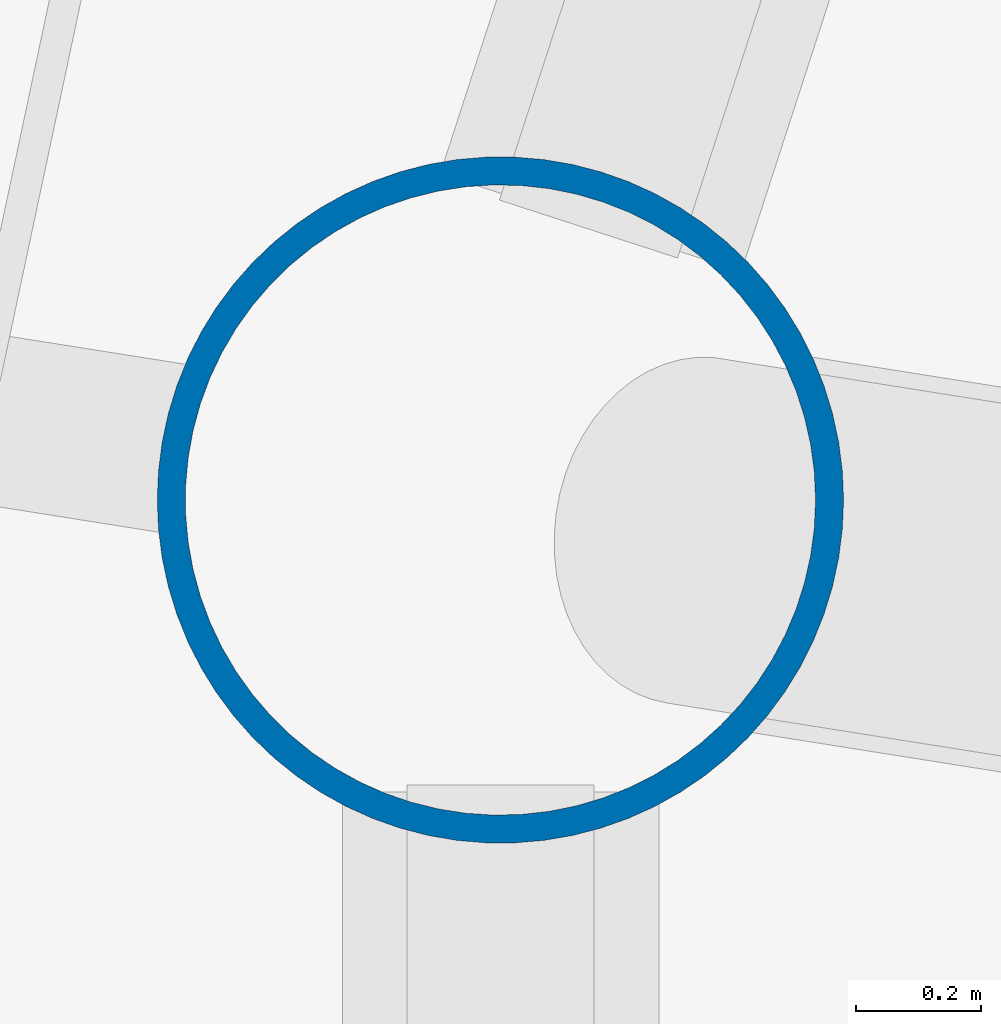
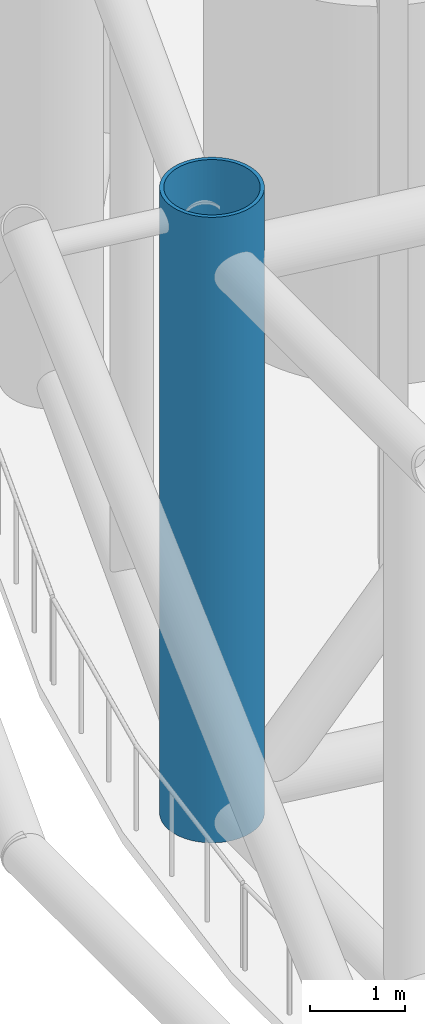
# One storey, part 2 of 22: 1 column.
"""IFC4 building model written with IfcOpenShell, lengths in metres."""

from ifc_helpers import new_model, si_unit, direction, frame, origin, origin_2d, place, context, subcontext, project, spatial, circle, hollow_circle, extrude, material, material_profile, profile_set, type_object, element, save


model = new_model("IFC4")

# Units and contexts
model_context = context("Model", 3, precision=1e-05, world=origin(), true_north=direction((0.0, 1.0)))
body_context = subcontext(model_context, "Body", "Model", "MODEL_VIEW")
ifc_project = project(units=[si_unit("LENGTHUNIT", "METRE"), si_unit("AREAUNIT", "SQUARE_METRE"), si_unit("VOLUMEUNIT", "CUBIC_METRE"), si_unit("PLANEANGLEUNIT", "RADIAN"), si_unit("MASSUNIT", "GRAM", prefix="KILO")], contexts=[model_context])

# Site, building, storey
site_placement = place(None, origin())
site = spatial("IfcSite", under=ifc_project, at=site_placement, CompositionType="ELEMENT")
building_placement = place(site_placement, origin())
building = spatial("IfcBuilding", under=site, at=building_placement, Name="Entoto Ring Tower", CompositionType="ELEMENT")
storey_placement = place(building_placement, frame((0.0, 0.0, 230.0)))
storey = spatial("IfcBuildingStorey", under=building, at=storey_placement, Name="L53", CompositionType="ELEMENT", Elevation=230.0)

# Column
ifc_material_1 = material(Name="Steel S355", Category="steel")
ifc_material_profile_1 = material_profile(ifc_material_1, hollow_circle(Radius=0.550048828125, WallThickness=0.044921875, at=origin_2d()), Name="CHS 1100 x 45")
ifc_material_2 = material(Name="Concrete C60/75", Category="concrete")
ifc_material_profile_2 = material_profile(ifc_material_2, circle(Radius=0.5048828125, at=origin_2d()), Name="Concrete C60/75 infill")
ifc_profile_set = profile_set([ifc_material_profile_1, ifc_material_profile_2], Name="Steel S355")
column_type = type_object("IfcColumnType", Name="Ring column 1100 x 45 concrete-filled tube", PredefinedType="COLUMN", material=ifc_profile_set)
column_placement = place(storey_placement, frame((64.4189453125, 84.0517578125, 0.0), z_axis=(0.0, 0.0, 1.0), x_axis=(1.0, 0.0, 0.0)))
element("IfcColumn", 1, at=column_placement, inside=storey, type_object=column_type, Name="RC4B R10", PredefinedType="COLUMN", context=body_context, shape_type="SweptSolid", body=[
    extrude(hollow_circle(Radius=0.550048828125, WallThickness=0.044921875, at=origin_2d()), origin(), (0.0, 0.0, 1.0), 8.0),
])

save(model, "model.ifc")
